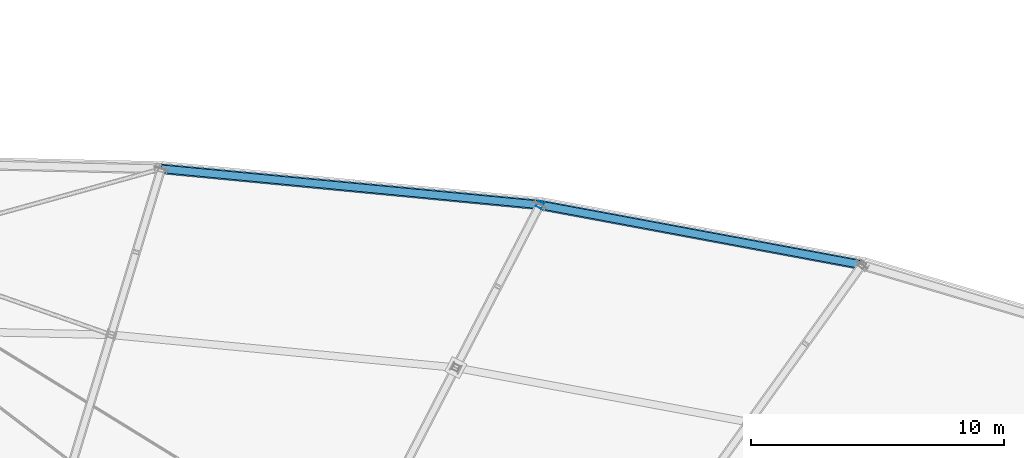
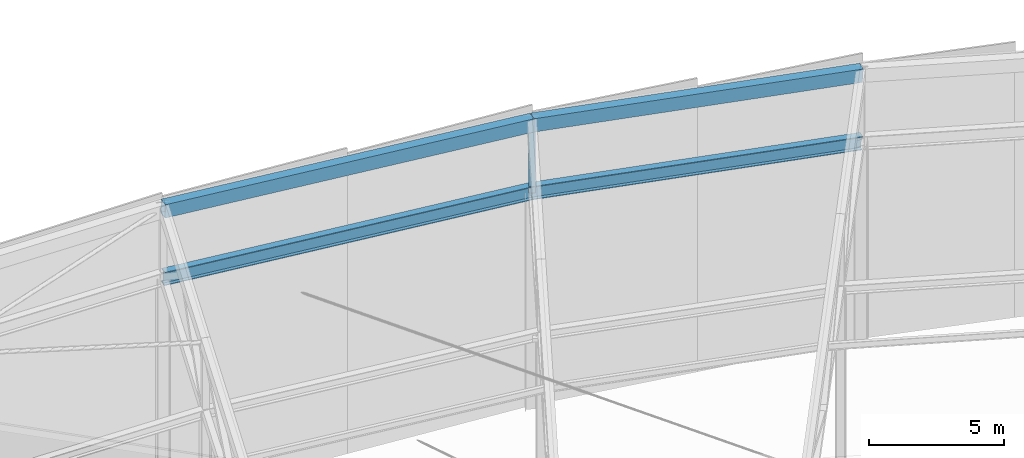
# One storey, part 102 of 143: 4 beams, 1 member.
"""IFC4 building model written with IfcOpenShell, lengths in metres."""

from ifc_helpers import new_model, si_unit, direction, frame, origin, origin_2d, place, context, subcontext, project, spatial, hollow_rectangle, i_section, extrude, material, material_profile, profile_set, type_object, element, save


model = new_model("IFC4")

# Units and contexts
model_context = context("Model", 3, precision=1e-05, world=origin(), true_north=direction((0.0, 1.0)))
body_context = subcontext(model_context, "Body", "Model", "MODEL_VIEW")
ifc_project = project(units=[si_unit("LENGTHUNIT", "METRE"), si_unit("AREAUNIT", "SQUARE_METRE"), si_unit("VOLUMEUNIT", "CUBIC_METRE"), si_unit("PLANEANGLEUNIT", "RADIAN"), si_unit("MASSUNIT", "GRAM", prefix="KILO")], contexts=[model_context])

# Site, building, storey
site_placement = place(None, origin())
site = spatial("IfcSite", under=ifc_project, at=site_placement, CompositionType="ELEMENT")
building_placement = place(site_placement, origin())
building = spatial("IfcBuilding", under=site, at=building_placement, Name="Mphavela Belvedere Stadium", CompositionType="ELEMENT")
storey_placement = place(building_placement, frame((0.0, 0.0, 28.800048828125)))
storey = spatial("IfcBuildingStorey", under=building, at=storey_placement, Name="RF", CompositionType="ELEMENT", Elevation=28.800048828125)

# Beams
ifc_material_1 = material(Name="Steel S355", Category="steel")
ifc_material_profile_1 = material_profile(ifc_material_1, hollow_rectangle(XDim=0.39990234375, YDim=0.60009765625, WallThickness=0.02001953125, at=origin_2d()), Name="RHS 600x400x20")
ifc_profile_set_1 = profile_set([ifc_material_profile_1], Name="Steel S355")
beam_type_1 = type_object("IfcBeamType", Name="BM-RING-OUT", PredefinedType="BEAM", material=ifc_profile_set_1)
beam_1_placement = place(storey_placement, frame((164.80126953125, 156.39697265625, 12.199951171875), z_axis=(-0.98139619099, 0.182760004955, 0.058824288339), x_axis=(-0.183077029882, -0.983098571421, 0.0)))
element("IfcBeam", 1, at=beam_1_placement, inside=storey, type_object=beam_type_1, Name="Perimeter compression ring beam RB-OUT-10", PredefinedType="BEAM", context=body_context, shape_type="SweptSolid", body=[
    extrude(hollow_rectangle(XDim=0.39990234375, YDim=0.60009765625, WallThickness=0.02001953125, at=origin_2d()), origin(), (0.0, 0.0, 1.0), 12.9697265625),
])
beam_2_placement = place(storey_placement, frame((152.07275390625, 158.767333984375, 12.962890625), z_axis=(-0.994976959391, 0.094887306366, 0.031894347031), x_axis=(-0.094935605244, -0.995483415661, 0.0)))
element("IfcBeam", 2, at=beam_2_placement, inside=storey, type_object=beam_type_1, Name="Perimeter compression ring beam RB-OUT-11", PredefinedType="BEAM", context=body_context, shape_type="SweptSolid", body=[
    extrude(hollow_rectangle(XDim=0.39990234375, YDim=0.60009765625, WallThickness=0.02001953125, at=origin_2d()), origin(), (0.0, 0.0, 1.0), 15.03369140625),
])
ifc_material_2 = material(Name="Steel S355", Category="steel")
ifc_material_profile_2 = material_profile(ifc_material_2, i_section(OverallWidth=0.300048828125, OverallDepth=0.60009765625, WebThickness=0.015380859375, FlangeThickness=0.030029296875, at=origin_2d()), Name="HEB 600")
ifc_profile_set_2 = profile_set([ifc_material_profile_2], Name="Steel S355")
beam_type_2 = type_object("IfcBeamType", Name="BM-STEEL-HEB600", PredefinedType="BEAM", material=ifc_profile_set_2)
beam_3_placement = place(storey_placement, frame((164.80126953125, 156.39697265625, 9.10498046875), z_axis=(-0.98139619099, 0.182760004955, 0.058824288339), x_axis=(-0.183077029882, -0.983098571421, 0.0)))
element("IfcBeam", 3, at=beam_3_placement, inside=storey, type_object=beam_type_2, Name="Roof bottom-chord tie girder R4-10", PredefinedType="BEAM", context=body_context, shape_type="SweptSolid", body=[
    extrude(i_section(OverallWidth=0.300048828125, OverallDepth=0.60009765625, WebThickness=0.015380859375, FlangeThickness=0.030029296875, at=origin_2d()), origin(), (0.0, 0.0, 1.0), 12.9697265625),
])
beam_4_placement = place(storey_placement, frame((152.07275390625, 158.767333984375, 9.867919921875), z_axis=(-0.994976959391, 0.094887306366, 0.031894347031), x_axis=(-0.094935605244, -0.995483415661, 0.0)))
element("IfcBeam", 4, at=beam_4_placement, inside=storey, type_object=beam_type_2, Name="Roof bottom-chord tie girder R4-11", PredefinedType="BEAM", context=body_context, shape_type="SweptSolid", body=[
    extrude(i_section(OverallWidth=0.300048828125, OverallDepth=0.60009765625, WebThickness=0.015380859375, FlangeThickness=0.030029296875, at=origin_2d()), origin(), (0.0, 0.0, 1.0), 15.03369140625),
])

# Member
ifc_material_3 = material(Name="Steel S355", Category="steel")
ifc_material_profile_3 = material_profile(ifc_material_3, hollow_rectangle(XDim=0.25, YDim=0.25, WallThickness=0.012451171875, at=origin_2d()), Name="SHS 250x250x12.5")
ifc_profile_set_3 = profile_set([ifc_material_profile_3], Name="Steel S355")
member_type = type_object("IfcMemberType", Name="MEM-POST-SHS250", PredefinedType="POST", material=ifc_profile_set_3)
member_placement = place(storey_placement, frame((152.07275390625, 158.767333984375, 9.867919921875), z_axis=(0.0, 0.0, 1.0), x_axis=(0.458959712465, 0.888457079624, 0.0)))
element("IfcMember", 5, at=member_placement, inside=storey, type_object=member_type, Name="Radial roof truss RT-11 post P1", PredefinedType="POST", context=body_context, shape_type="SweptSolid", body=[
    extrude(hollow_rectangle(XDim=0.25, YDim=0.25, WallThickness=0.012451171875, at=origin_2d()), origin(), (0.0, 0.0, 1.0), 3.14990234375),
])

save(model, "model.ifc")
